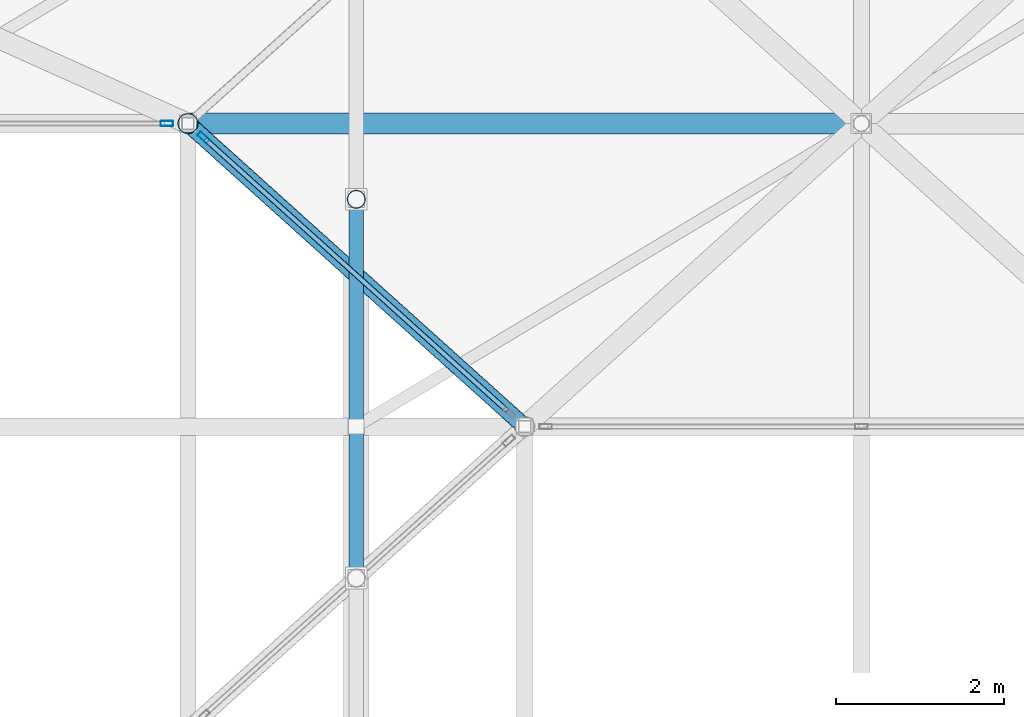
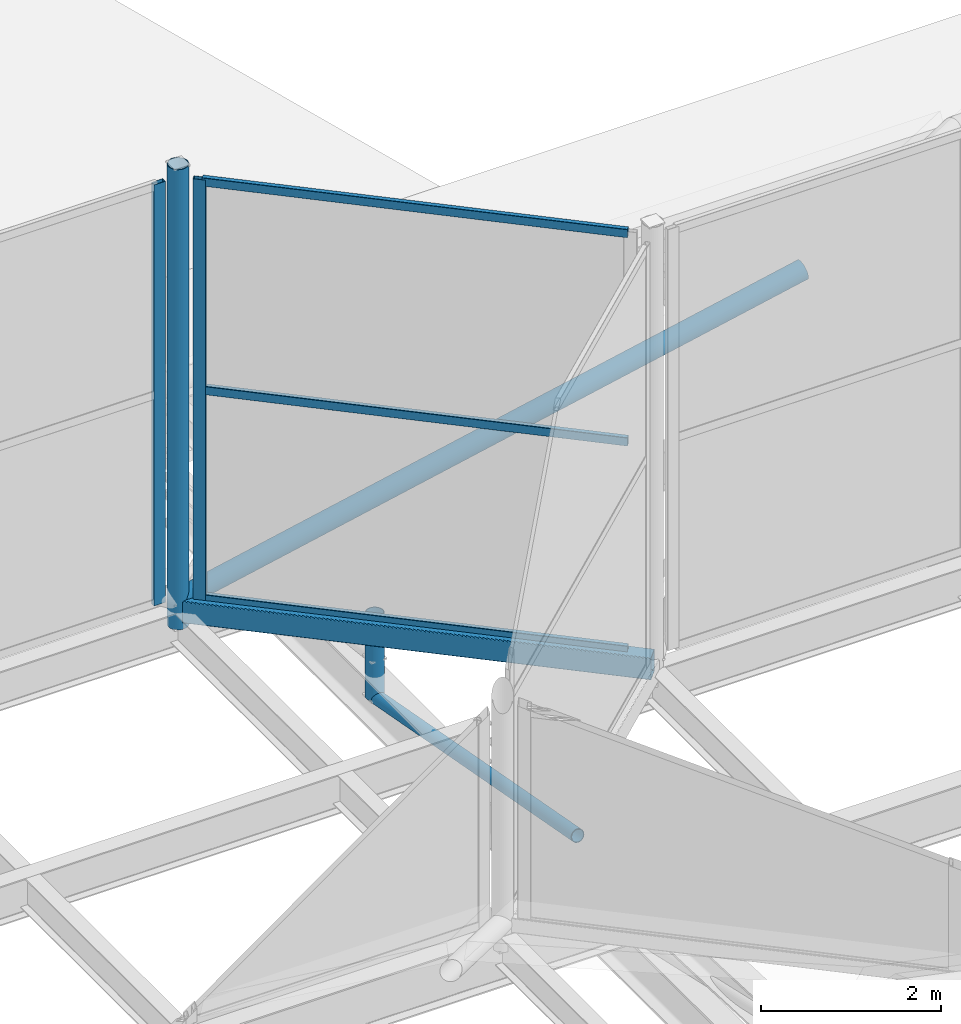
# One storey, part 107 of 239: 9 members, 1 beam, 2 elements without a shape of their own.
"""IFC4 building model written with IfcOpenShell, lengths in metres."""

from ifc_helpers import new_model, si_unit, direction, frame, origin, origin_2d, place, context, subcontext, project, spatial, hollow_rectangle, hollow_circle, extrude, material, layer, layer_set, material_profile, profile_set, type_object, element, aggregate, save


model = new_model("IFC4")

# Units and contexts
model_context = context("Model", 3, precision=1e-05, world=origin(), true_north=direction((0.0, 1.0)))
body_context = subcontext(model_context, "Body", "Model", "MODEL_VIEW")
ifc_project = project(units=[si_unit("LENGTHUNIT", "METRE"), si_unit("AREAUNIT", "SQUARE_METRE"), si_unit("VOLUMEUNIT", "CUBIC_METRE"), si_unit("PLANEANGLEUNIT", "RADIAN"), si_unit("MASSUNIT", "GRAM", prefix="KILO")], contexts=[model_context])

# Site, building, storey
site_placement = place(None, origin())
site = spatial("IfcSite", under=ifc_project, at=site_placement, CompositionType="ELEMENT")
building_placement = place(site_placement, origin())
building = spatial("IfcBuilding", under=site, at=building_placement, Name="Dunvalen Ferry Terminal", CompositionType="ELEMENT")
storey_placement = place(building_placement, frame((0.0, 0.0, 9.840087890625)))
storey = spatial("IfcBuildingStorey", under=building, at=storey_placement, Name="L02", CompositionType="ELEMENT", Elevation=9.840087890625)

# Curtain wall, member
ifc_material_1 = material(Name="Anodised marine aluminium and solar-control glazing", Category="aluminium")
ifc_layer_1 = layer(ifc_material_1, 0.179931640625, Name="Anodised marine aluminium and solar-control glazing")
ifc_layer_set_1 = layer_set([ifc_layer_1], Name="Anodised marine aluminium and solar-control glazing")
curtain_wall_type_1 = type_object("IfcCurtainWallType", Name="ENV-CW-SYS-06", PredefinedType="NOTDEFINED", material=ifc_layer_set_1)
curtain_wall_1_placement = place(storey_placement, origin())
curtain_wall_1 = element("IfcCurtainWall", 1, at=curtain_wall_1_placement, inside=storey, type_object=curtain_wall_type_1, Name="L02 Curtain Wall CW-HEX-16-SK-4", PredefinedType="NOTDEFINED")
ifc_material_2 = material(Name="Anodised marine aluminium EN AW-6063 T6", Category="aluminium")
ifc_material_profile_1 = material_profile(ifc_material_2, hollow_rectangle(XDim=0.06005859375, YDim=0.14990234375, WallThickness=0.00341796875, InnerFilletRadius=0.00341796875, OuterFilletRadius=0.007080078125, at=origin_2d()), Name="Anodised marine aluminium EN AW-6063 T6")
ifc_profile_set_1 = profile_set([ifc_material_profile_1], Name="Anodised marine aluminium EN AW-6063 T6")
member_type_1 = type_object("IfcMemberType", Name="ENV-CW-MUL-3", PredefinedType="MULLION", material=ifc_profile_set_1)
member_1_placement = place(storey_placement, frame((34.185791015625, 82.6328125, 1.139892578125), z_axis=(0.0, 0.0, 1.0), x_axis=(-0.668953550894, -0.74330420875, 0.0)))
member_1 = element("IfcMember", 2, at=member_1_placement, type_object=member_type_1, Name="CW-06 mullion 2", PredefinedType="MULLION", context=body_context, shape_type="SweptSolid", body=[
    extrude(hollow_rectangle(XDim=0.06005859375, YDim=0.14990234375, WallThickness=0.00341796875, InnerFilletRadius=0.00341796875, OuterFilletRadius=0.007080078125, at=origin_2d()), origin(), (0.0, 0.0, 1.0), 5.699951171875),
])

ifc_layer_2 = layer(ifc_material_1, 0.179931640625, Name="Anodised marine aluminium and solar-control glazing")
ifc_layer_set_2 = layer_set([ifc_layer_2], Name="Anodised marine aluminium and solar-control glazing")
curtain_wall_type_2 = type_object("IfcCurtainWallType", Name="ENV-CW-SYS-05", PredefinedType="NOTDEFINED", material=ifc_layer_set_2)
curtain_wall_2_placement = place(storey_placement, origin())
curtain_wall_2 = element("IfcCurtainWall", 3, at=curtain_wall_2_placement, inside=storey, type_object=curtain_wall_type_2, Name="L02 Curtain Wall CW-HEX-16-SK-5", PredefinedType="NOTDEFINED")
member_2_placement = place(storey_placement, frame((33.75, 82.800048828125, 1.139892578125), z_axis=(0.0, 0.0, 1.0), x_axis=(0.0, -1.0, 0.0)))
member_2 = element("IfcMember", 4, at=member_2_placement, type_object=member_type_1, Name="CW-05 mullion 1", PredefinedType="MULLION", context=body_context, shape_type="SweptSolid", body=[
    extrude(hollow_rectangle(XDim=0.06005859375, YDim=0.14990234375, WallThickness=0.00341796875, InnerFilletRadius=0.00341796875, OuterFilletRadius=0.007080078125, at=origin_2d()), origin(), (0.0, 0.0, 1.0), 5.699951171875),
])
aggregate(curtain_wall_2, [member_2])

# Member
ifc_material_profile_2 = material_profile(ifc_material_2, hollow_rectangle(XDim=0.06005859375, YDim=0.114990234375, WallThickness=0.0029296875, InnerFilletRadius=0.0029296875, OuterFilletRadius=0.006103515625, at=origin_2d()), Name="Anodised marine aluminium EN AW-6063 T6")
ifc_profile_set_2 = profile_set([ifc_material_profile_2], Name="Anodised marine aluminium EN AW-6063 T6")
member_type_2 = type_object("IfcMemberType", Name="ENV-CW-TRN-3", PredefinedType="USERDEFINED", material=ifc_profile_set_2)
member_3_placement = place(storey_placement, frame((37.7919921875, 79.387451171875, 1.169921875), z_axis=(-0.743344500928, 0.668908777742, 0.0), x_axis=(-0.668908777742, -0.743344500928, 0.0)))
member_3 = element("IfcMember", 5, at=member_3_placement, type_object=member_type_2, Name="CW-06 transom 1.1", ObjectType="TRANSOM", PredefinedType="USERDEFINED", context=body_context, shape_type="SweptSolid", body=[
    extrude(hollow_rectangle(XDim=0.06005859375, YDim=0.114990234375, WallThickness=0.0029296875, InnerFilletRadius=0.0029296875, OuterFilletRadius=0.006103515625, at=origin_2d()), origin(), (0.0, 0.0, 1.0), 4.821533203125),
])

member_4_placement = place(storey_placement, frame((37.7919921875, 79.387451171875, 3.989990234375), z_axis=(-0.743344500928, 0.668908777742, 0.0), x_axis=(-0.668908777742, -0.743344500928, 0.0)))
member_4 = element("IfcMember", 6, at=member_4_placement, type_object=member_type_2, Name="CW-06 transom 1.2", ObjectType="TRANSOM", PredefinedType="USERDEFINED", context=body_context, shape_type="SweptSolid", body=[
    extrude(hollow_rectangle(XDim=0.06005859375, YDim=0.114990234375, WallThickness=0.0029296875, InnerFilletRadius=0.0029296875, OuterFilletRadius=0.006103515625, at=origin_2d()), origin(), (0.0, 0.0, 1.0), 4.821533203125),
])

member_5_placement = place(storey_placement, frame((37.7919921875, 79.387451171875, 6.809814453125), z_axis=(-0.743344500928, 0.668908777742, 0.0), x_axis=(-0.668908777742, -0.743344500928, 0.0)))
member_5 = element("IfcMember", 7, at=member_5_placement, type_object=member_type_2, Name="CW-06 transom 1.3", ObjectType="TRANSOM", PredefinedType="USERDEFINED", context=body_context, shape_type="SweptSolid", body=[
    extrude(hollow_rectangle(XDim=0.06005859375, YDim=0.114990234375, WallThickness=0.0029296875, InnerFilletRadius=0.0029296875, OuterFilletRadius=0.006103515625, at=origin_2d()), origin(), (0.0, 0.0, 1.0), 4.821533203125),
])

aggregate(curtain_wall_1, [member_1, member_3, member_4, member_5])

# Beam
ifc_material_3 = material(Name="Steel S355", Category="steel")
ifc_material_profile_3 = material_profile(ifc_material_3, hollow_rectangle(XDim=0.199951171875, YDim=0.300048828125, WallThickness=0.010009765625, InnerFilletRadius=0.010009765625, OuterFilletRadius=0.02001953125, at=origin_2d()), Name="Steel S355")
ifc_profile_set_3 = profile_set([ifc_material_profile_3], Name="Steel S355")
beam_type = type_object("IfcBeamType", Name="STR-BM-RHS300", PredefinedType="BEAM", material=ifc_profile_set_3)
beam_placement = place(storey_placement, frame((38.0, 79.199951171875, 1.0), z_axis=(-0.743285123004, 0.668974757313, 0.0), x_axis=(-0.668974757313, -0.743285123004, 0.0)))
element("IfcBeam", 8, at=beam_placement, inside=storey, type_object=beam_type, Name="HEX-16 Lantern Curb Ring Beam 4", PredefinedType="BEAM", context=body_context, shape_type="SweptSolid", body=[
    extrude(hollow_rectangle(XDim=0.199951171875, YDim=0.300048828125, WallThickness=0.010009765625, InnerFilletRadius=0.010009765625, OuterFilletRadius=0.02001953125, at=origin_2d()), origin(), (0.0, 0.0, 1.0), 5.381591796875),
])

# Members
ifc_material_profile_4 = material_profile(ifc_material_3, hollow_circle(Radius=0.084228515625, WallThickness=0.008056640625, at=origin_2d()), Name="Steel S355")
ifc_profile_set_4 = profile_set([ifc_material_profile_4], Name="Steel S355")
member_type_3 = type_object("IfcMemberType", Name="STR-MB-CHS168", PredefinedType="BRACE", material=ifc_profile_set_4)
member_6_placement = place(storey_placement, frame((36.0, 77.39990234375, 0.474853515625), z_axis=(0.0, 0.983218272848, -0.18243307797), x_axis=(-1.0, 0.0, 0.0)))
element("IfcMember", 9, at=member_6_placement, inside=storey, type_object=member_type_3, Name="Departure Hall Arch Web Diagonal 03.7", PredefinedType="BRACE", context=body_context, shape_type="SweptSolid", body=[
    extrude(hollow_circle(Radius=0.084228515625, WallThickness=0.008056640625, at=origin_2d()), origin(), (0.0, 0.0, 1.0), 4.576904296875),
])
ifc_material_profile_5 = material_profile(ifc_material_3, hollow_circle(Radius=0.109619140625, WallThickness=0.010009765625, at=origin_2d()), Name="Steel S355")
ifc_profile_set_5 = profile_set([ifc_material_profile_5], Name="Steel S355")
member_type_4 = type_object("IfcMemberType", Name="STR-MB-CHS219", PredefinedType="STRUT", material=ifc_profile_set_5)
member_7_placement = place(storey_placement, frame((36.0, 81.89990234375, -0.360107421875), z_axis=(0.0, 0.0, 1.0), x_axis=(1.0, 0.0, 0.0)))
element("IfcMember", 10, at=member_7_placement, inside=storey, type_object=member_type_4, Name="Departure Hall Arch Spandrel Strut 03.7", PredefinedType="STRUT", context=body_context, shape_type="SweptSolid", body=[
    extrude(hollow_circle(Radius=0.109619140625, WallThickness=0.010009765625, at=origin_2d()), origin(), (0.0, 0.0, 1.0), 1.130126953125),
])
ifc_material_profile_6 = material_profile(ifc_material_3, hollow_circle(Radius=0.122314453125, WallThickness=0.010009765625, at=origin_2d()), Name="Steel S355")
ifc_profile_set_6 = profile_set([ifc_material_profile_6], Name="Steel S355")
member_type_5 = type_object("IfcMemberType", Name="STR-MB-CHS244", PredefinedType="STRUT", material=ifc_profile_set_6)
member_8_placement = place(storey_placement, frame((34.0, 82.800048828125, 0.77001953125), z_axis=(0.0, 0.0, 1.0), x_axis=(1.0, 0.0, 0.0)))
element("IfcMember", 11, at=member_8_placement, inside=storey, type_object=member_type_5, Name="HEX-16 Skylight Lantern Corner Strut 5", PredefinedType="STRUT", context=body_context, shape_type="SweptSolid", body=[
    extrude(hollow_circle(Radius=0.122314453125, WallThickness=0.010009765625, at=origin_2d()), origin(), (0.0, 0.0, 1.0), 6.22998046875),
])
member_9_placement = place(storey_placement, frame((34.0, 82.800048828125, 1.099853515625), z_axis=(0.979020171275, 0.0, 0.203763353518), x_axis=(0.0, 1.0, 0.0)))
element("IfcMember", 12, at=member_9_placement, inside=storey, type_object=member_type_5, Name="HEX-22 Pyramid Hip Rafter 1", PredefinedType="STRUT", context=body_context, shape_type="SweptSolid", body=[
    extrude(hollow_circle(Radius=0.122314453125, WallThickness=0.010009765625, at=origin_2d()), origin(), (0.0, 0.0, 1.0), 8.17138671875),
])

save(model, "model.ifc")
